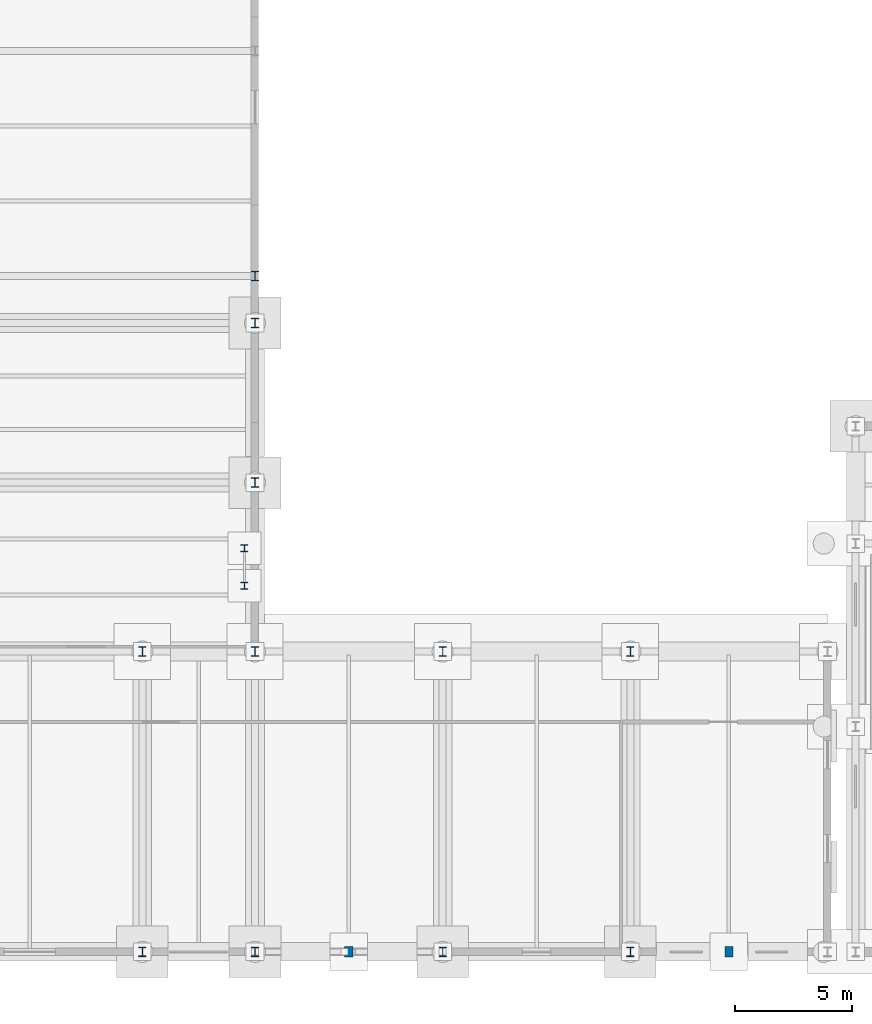
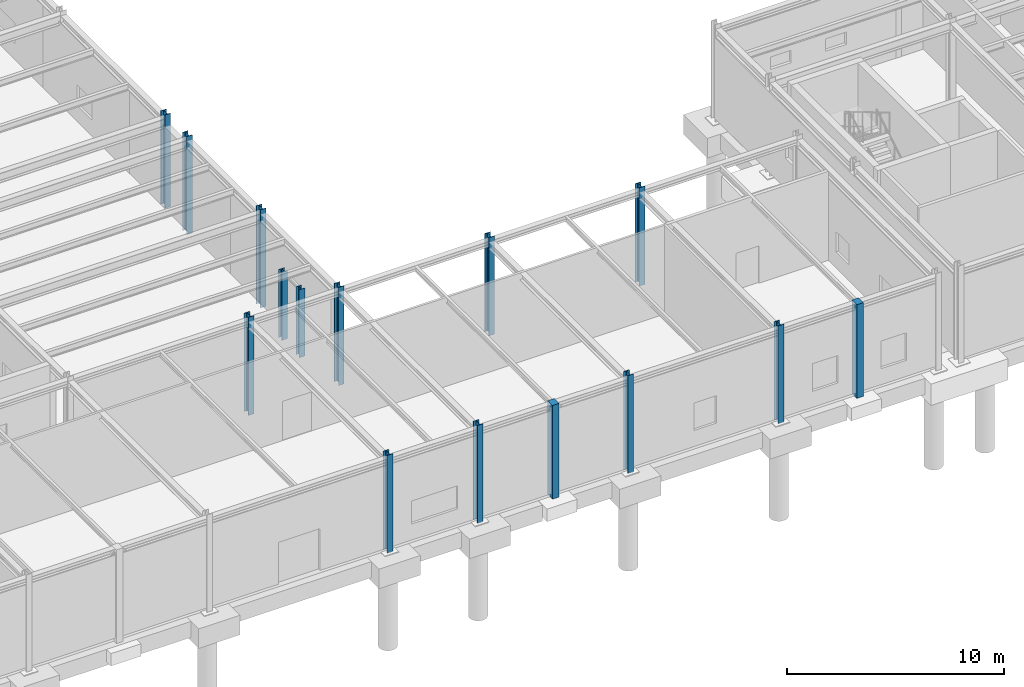
# One storey, part 9 of 109: 15 columns.
"""IFC4 building model written with IfcOpenShell, lengths in metres."""

from ifc_helpers import new_model, si_unit, direction, frame, origin, origin_2d, place, context, subcontext, project, spatial, rectangle, i_section, extrude, material, material_profile, profile_set, type_object, element, save


model = new_model("IFC4")

# Units and contexts
model_context = context("Model", 3, precision=1e-05, world=origin(), true_north=direction((0.0, 1.0)))
body_context = subcontext(model_context, "Body", "Model", "MODEL_VIEW")
ifc_project = project(units=[si_unit("LENGTHUNIT", "METRE"), si_unit("AREAUNIT", "SQUARE_METRE"), si_unit("VOLUMEUNIT", "CUBIC_METRE"), si_unit("PLANEANGLEUNIT", "RADIAN"), si_unit("MASSUNIT", "GRAM", prefix="KILO")], contexts=[model_context])

# Site, building, storey
site_placement = place(None, origin())
site = spatial("IfcSite", under=ifc_project, at=site_placement, CompositionType="ELEMENT")
building_placement = place(site_placement, origin())
building = spatial("IfcBuilding", under=site, at=building_placement, Name="Nordkorset Police Headquarters", CompositionType="ELEMENT")
storey_placement = place(building_placement, origin())
storey = spatial("IfcBuildingStorey", under=building, at=storey_placement, Name="L00", CompositionType="ELEMENT", Elevation=0.0)

# Columns
ifc_material_1 = material(Name="Steel S355J2", Category="steel")
ifc_material_profile_1 = material_profile(ifc_material_1, i_section(OverallWidth=0.300048828125, OverallDepth=0.300048828125, WebThickness=0.010986328125, FlangeThickness=0.01904296875, FilletRadius=0.027099609375, at=origin_2d()), Name="HEB 300")
ifc_profile_set_1 = profile_set([ifc_material_profile_1], Name="Steel S355J2")
column_type_1 = type_object("IfcColumnType", Name="Col_HEB_300", PredefinedType="COLUMN", material=ifc_profile_set_1)
for number, where, z_axis, x_axis, name in (
    (1, (100.35009765625, 15.60009765625, -0.27001953125), (0.0, 0.0, 1.0), (1.0, 0.0, 0.0), "Portal Jamb Post LNT-V7-E-0"),
    (2, (100.35009765625, 17.199951171875, -0.27001953125), (0.0, 0.0, 1.0), (1.0, 0.0, 0.0), "Portal Jamb Post LNT-V7-E-1"),
):
    element("IfcColumn", number, at=place(storey_placement, frame(where, z_axis=z_axis, x_axis=x_axis)), inside=storey, type_object=column_type_1, Name=name, PredefinedType="COLUMN", context=body_context, shape_type="SweptSolid", body=[
        extrude(i_section(OverallWidth=0.300048828125, OverallDepth=0.300048828125, WebThickness=0.010986328125, FlangeThickness=0.01904296875, FilletRadius=0.027099609375, at=origin_2d()), origin(), (0.0, 0.0, 1.0), 3.820068359375),
    ])
ifc_material_2 = material(Name="Steel S355J2", Category="steel")
ifc_material_profile_2 = material_profile(ifc_material_2, i_section(OverallWidth=0.300048828125, OverallDepth=0.39990234375, WebThickness=0.013427734375, FlangeThickness=0.02392578125, FilletRadius=0.027099609375, at=origin_2d()), Name="HEB 400")
ifc_profile_set_2 = profile_set([ifc_material_profile_2], Name="Steel S355J2")
column_type_2 = type_object("IfcColumnType", Name="Col_HEB_400", PredefinedType="COLUMN", material=ifc_profile_set_2)
for number, where, z_axis, x_axis, name in (
    (3, (96.0, 0.0, -0.27001953125), (0.0, 0.0, 1.0), (1.0, 0.0, 0.0), "Structural Column V7_S0_10 L00"),
    (4, (96.0, 12.800048828125, -0.27001953125), (0.0, 0.0, 1.0), (1.0, 0.0, 0.0), "Structural Column V7_S1_10 L00"),
    (5, (100.800048828125, 0.0, -0.27001953125), (0.0, 0.0, 1.0), (1.0, 0.0, 0.0), "Structural Column V7_S0_11 L00"),
    (6, (100.800048828125, 12.800048828125, -0.27001953125), (0.0, 0.0, 1.0), (1.0, 0.0, 0.0), "Structural Column V7_S1_11 L00"),
    (7, (108.800048828125, 0.0, -0.27001953125), (0.0, 0.0, 1.0), (1.0, 0.0, 0.0), "Structural Column V7_S0_12 L00"),
    (8, (108.800048828125, 12.800048828125, -0.27001953125), (0.0, 0.0, 1.0), (1.0, 0.0, 0.0), "Structural Column V7_S1_12 L00"),
    (9, (116.800048828125, 0.0, -0.27001953125), (0.0, 0.0, 1.0), (1.0, 0.0, 0.0), "Structural Column V7_S0_13 L00"),
    (10, (116.800048828125, 12.800048828125, -0.27001953125), (0.0, 0.0, 1.0), (1.0, 0.0, 0.0), "Structural Column V7_S1_13 L00"),
    (11, (100.800048828125, 20.0, -0.27001953125), (0.0, 0.0, 1.0), (1.0, 0.0, 0.0), "Structural Column V7_EC_1_200 L00"),
    (12, (100.800048828125, 26.800048828125, -0.27001953125), (0.0, 0.0, 1.0), (1.0, 0.0, 0.0), "Structural Column V7_EC_1_268 L00"),
):
    element("IfcColumn", number, at=place(storey_placement, frame(where, z_axis=z_axis, x_axis=x_axis)), inside=storey, type_object=column_type_2, Name=name, PredefinedType="COLUMN", context=body_context, shape_type="SweptSolid", body=[
        extrude(i_section(OverallWidth=0.300048828125, OverallDepth=0.39990234375, WebThickness=0.013427734375, FlangeThickness=0.02392578125, FilletRadius=0.027099609375, at=origin_2d()), origin(), (0.0, 0.0, 1.0), 5.52001953125),
    ])
column_placement = place(storey_placement, frame((100.800048828125, 28.800048828125, 0.0), z_axis=(0.0, 0.0, 1.0), x_axis=(1.0, 0.0, 0.0)))
element("IfcColumn", 13, at=column_placement, inside=storey, type_object=column_type_2, Name="Structural Column V7_EC_1_288 L00", PredefinedType="COLUMN", context=body_context, shape_type="SweptSolid", body=[
    extrude(i_section(OverallWidth=0.300048828125, OverallDepth=0.39990234375, WebThickness=0.013427734375, FlangeThickness=0.02392578125, FilletRadius=0.027099609375, at=origin_2d()), origin(), (0.0, 0.0, 1.0), 5.25),
])
ifc_material_3 = material(Name="Concrete C45/55", Category="concrete")
ifc_material_profile_3 = material_profile(ifc_material_3, rectangle(XDim=0.35009765625, YDim=0.449951171875, at=origin_2d()), Name="RC 450x350")
ifc_profile_set_3 = profile_set([ifc_material_profile_3], Name="Concrete C45/55")
column_type_3 = type_object("IfcColumnType", Name="Pilaster_RC_450x350", PredefinedType="PILASTER", material=ifc_profile_set_3)
for number, where, z_axis, x_axis, name in (
    (14, (104.800048828125, 0.0, -0.27001953125), (0.0, 0.0, 1.0), (1.0, 0.0, 0.0), "Perimeter Pilaster 07 L00"),
    (15, (121.0, 0.0, -0.27001953125), (0.0, 0.0, 1.0), (1.0, 0.0, 0.0), "Perimeter Pilaster 08 L00"),
):
    element("IfcColumn", number, at=place(storey_placement, frame(where, z_axis=z_axis, x_axis=x_axis)), inside=storey, type_object=column_type_3, Name=name, PredefinedType="PILASTER", context=body_context, shape_type="SweptSolid", body=[
        extrude(rectangle(XDim=0.35009765625, YDim=0.449951171875, at=origin_2d()), origin(), (0.0, 0.0, 1.0), 5.27001953125),
    ])

save(model, "model.ifc")
